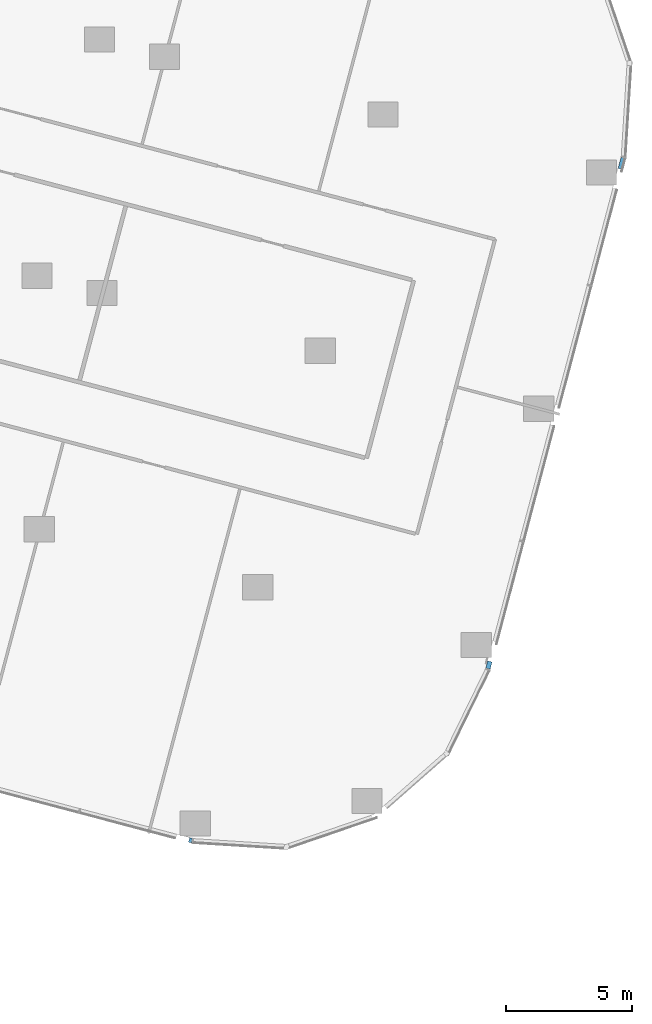
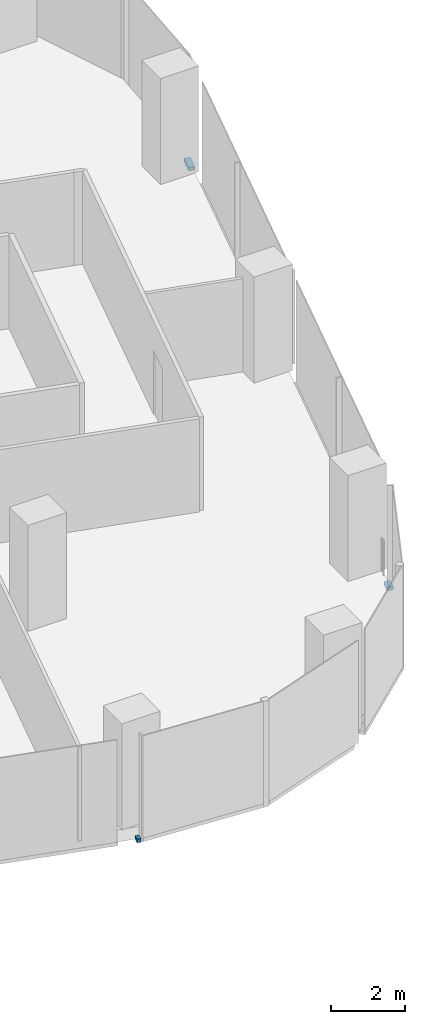
# One storey, part 17 of 35: 3 members, 2 elements without a shape of their own.
"""IFC4 building model written with IfcOpenShell, lengths in metres."""

from ifc_helpers import new_model, si_unit, direction, frame, origin, origin_2d, place, context, subcontext, project, spatial, rectangle, extrude, material, material_profile, profile_set, type_object, element, aggregate, save


model = new_model("IFC4")

# Units and contexts
model_context = context("Model", 3, precision=1e-05, world=origin(), true_north=direction((0.0, 1.0)))
body_context = subcontext(model_context, "Body", "Model", "MODEL_VIEW")
ifc_project = project(units=[si_unit("LENGTHUNIT", "METRE"), si_unit("AREAUNIT", "SQUARE_METRE"), si_unit("VOLUMEUNIT", "CUBIC_METRE"), si_unit("PLANEANGLEUNIT", "RADIAN"), si_unit("MASSUNIT", "GRAM", prefix="KILO")], contexts=[model_context])

# Site, building, storey
site_placement = place(None, origin())
site = spatial("IfcSite", under=ifc_project, at=site_placement, CompositionType="ELEMENT")
building_placement = place(site_placement, origin())
building = spatial("IfcBuilding", under=site, at=building_placement, Name="Orlundy Tower", CompositionType="ELEMENT")
storey_placement = place(building_placement, frame((0.0, 0.0, 116.199951171875)))
storey = spatial("IfcBuildingStorey", under=building, at=storey_placement, Name="L29", CompositionType="ELEMENT", Elevation=116.199951171875)

# Curtain wall, member
ifc_material_1 = material(Name="Aluminium bronze anodised", Category="aluminium")
curtain_wall_type = type_object("IfcCurtainWallType", Name="CW1 wall", PredefinedType="NOTDEFINED", material=ifc_material_1)
curtain_wall_1_placement = place(storey_placement, origin())
curtain_wall_1 = element("IfcCurtainWall", 1, at=curtain_wall_1_placement, inside=storey, type_object=curtain_wall_type, Name="CW1 run 00", PredefinedType="NOTDEFINED")
ifc_material_2 = material(Name="Aluminium bronze anodised", Category="aluminium")
ifc_material_profile = material_profile(ifc_material_2, rectangle(XDim=0.179931640625, YDim=0.1201171875, at=origin_2d()), Name="CW1 transom 180x120")
ifc_profile_set = profile_set([ifc_material_profile], Name="Aluminium bronze anodised")
member_type = type_object("IfcMemberType", Name="CW1 transom 180x120", PredefinedType="USERDEFINED", material=ifc_profile_set)
member_1_placement = place(storey_placement, frame((44.141357421875, -32.472900390625, -0.33984375), z_axis=(-0.966857319322, 0.255317300773, 0.0), x_axis=(-0.255317300773, -0.966857319322, 0.0)))
member_1 = element("IfcMember", 2, at=member_1_placement, type_object=member_type, Name="CW1 transom", ObjectType="TRANSOM", PredefinedType="USERDEFINED", context=body_context, shape_type="SweptSolid", body=[
    extrude(rectangle(XDim=0.179931640625, YDim=0.1201171875, at=origin_2d()), origin(), (0.0, 0.0, 1.0), 0.11669921875),
])
aggregate(curtain_wall_1, [member_1])

# Curtain wall, members
curtain_wall_2_placement = place(storey_placement, origin())
curtain_wall_2 = element("IfcCurtainWall", 3, at=curtain_wall_2_placement, inside=storey, type_object=curtain_wall_type, Name="CW1 run 023", PredefinedType="NOTDEFINED")
member_2_placement = place(storey_placement, frame((61.2548828125, -5.376708984375, -0.33984375), z_axis=(-0.256111169733, -0.966647334211, 0.0), x_axis=(0.966647334211, -0.256111169733, 0.0)))
member_2 = element("IfcMember", 4, at=member_2_placement, type_object=member_type, Name="CW1 transom", ObjectType="TRANSOM", PredefinedType="USERDEFINED", context=body_context, shape_type="SweptSolid", body=[
    extrude(rectangle(XDim=0.179931640625, YDim=0.1201171875, at=origin_2d()), origin(), (0.0, 0.0, 1.0), 0.46044921875),
])
member_3_placement = place(storey_placement, frame((55.96240234375, -25.362060546875, -0.33984375), z_axis=(-0.255801248584, -0.966729394, 0.0), x_axis=(0.966729394, -0.255801248584, 0.0)))
member_3 = element("IfcMember", 5, at=member_3_placement, type_object=member_type, Name="CW1 transom", ObjectType="TRANSOM", PredefinedType="USERDEFINED", context=body_context, shape_type="SweptSolid", body=[
    extrude(rectangle(XDim=0.179931640625, YDim=0.1201171875, at=origin_2d()), origin(), (0.0, 0.0, 1.0), 0.2939453125),
])
aggregate(curtain_wall_2, [member_2, member_3])

save(model, "model.ifc")
